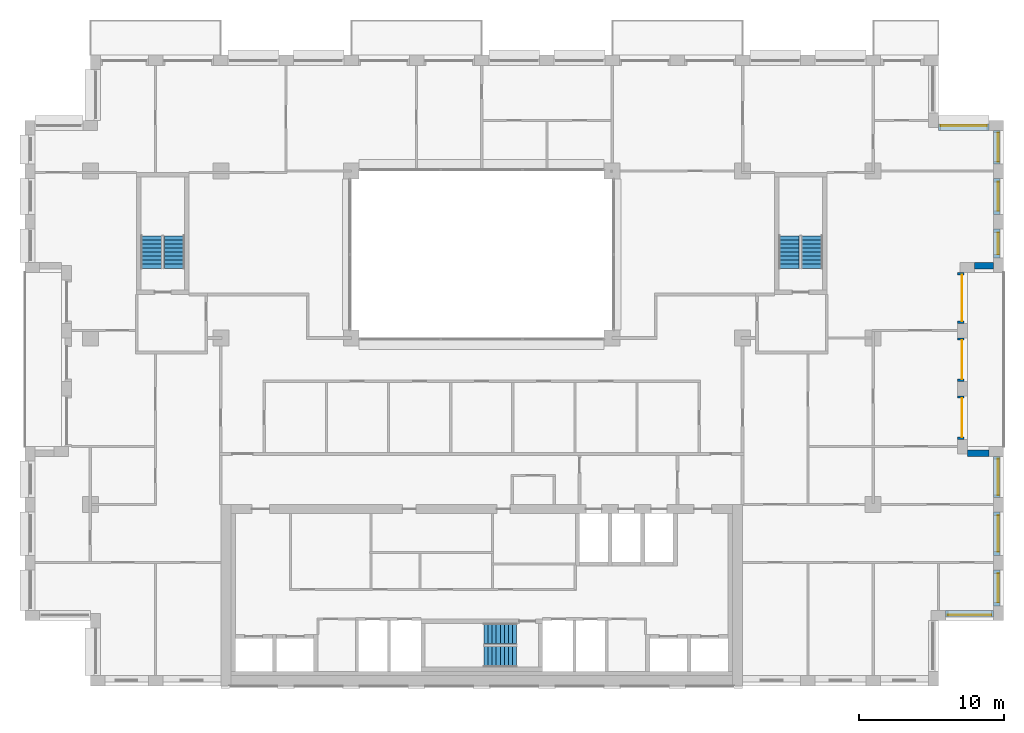
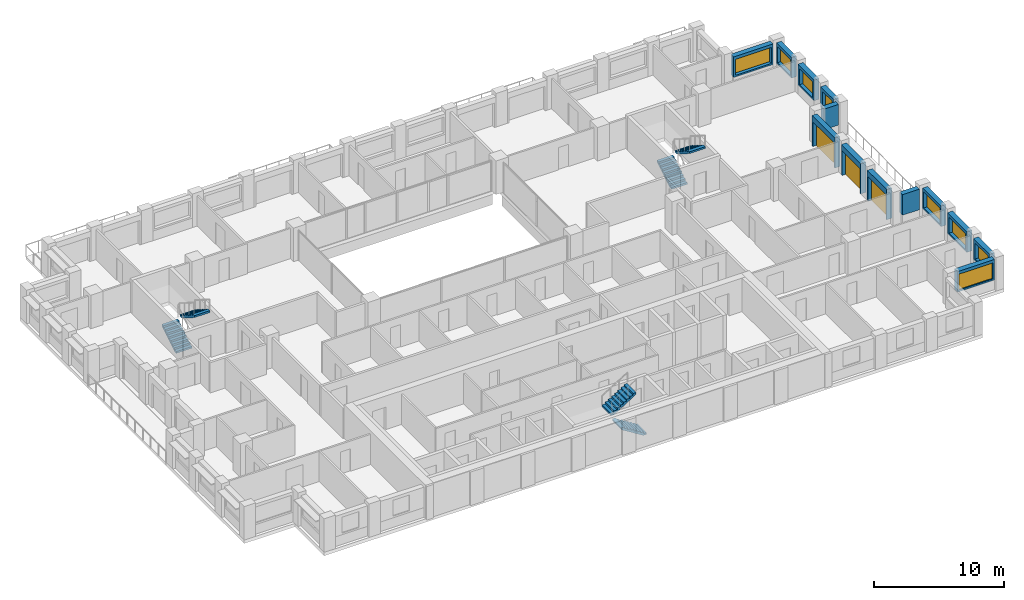
# One storey, part 14 of 15: 13 walls, 8 windows, 6 stair flights, 3 doors, 11 openings, 3 elements without a shape of their own.
"""IFC4 building model written with IfcOpenShell, lengths in metres."""

from ifc_helpers import new_model, si_unit, direction, frame, frame_2d, origin, place, context, subcontext, project, spatial, polyline, rectangle, outline, extrude, material, layer, layer_set, type_object, element, fill, aggregate, save


model = new_model("IFC4")

# Units and contexts
model_context = context("Model", 3, precision=1e-05, world=origin(), true_north=direction((0.0, 1.0)))
body_context = subcontext(model_context, "Body", "Model", "MODEL_VIEW")
ifc_project = project(units=[si_unit("LENGTHUNIT", "METRE"), si_unit("AREAUNIT", "SQUARE_METRE"), si_unit("VOLUMEUNIT", "CUBIC_METRE"), si_unit("PLANEANGLEUNIT", "RADIAN"), si_unit("MASSUNIT", "GRAM", prefix="KILO")], contexts=[model_context])

# Site, building, storey
site_placement = place(None, origin())
site = spatial("IfcSite", under=ifc_project, at=site_placement, CompositionType="ELEMENT")
building_placement = place(site_placement, origin())
building = spatial("IfcBuilding", under=site, at=building_placement, Name="Brigalow Station Residences", CompositionType="ELEMENT")
storey_placement = place(building_placement, frame((0.0, 0.0, 175.949951171875)))
storey = spatial("IfcBuildingStorey", under=building, at=storey_placement, Name="L51", CompositionType="ELEMENT", Elevation=175.949951171875)

# Wall, opening, window
ifc_material_1 = material(Name="Clay brick masonry", Category="masonry")
ifc_layer = layer(ifc_material_1, 0.449951171875)
ifc_layer_set = layer_set([ifc_layer], Name="BRICK INFILL WALL 450")
wall_type = type_object("IfcWallType", Name="BRICK INFILL WALL 450", PredefinedType="SOLIDWALL", material=ifc_layer_set)
wall_1_placement = place(storey_placement, frame((68.0, 4.97509765625, 0.900146484375), z_axis=(0.0, 0.0, 1.0), x_axis=(1.0, 0.0, 0.0)))
wall_1 = element("IfcWall", 1, at=wall_1_placement, inside=storey, type_object=wall_type, Name="L51/ewall/W-L51-8", PredefinedType="SOLIDWALL", context=body_context, shape_type="SweptSolid", body=[
    extrude(rectangle(XDim=3.300048828125, YDim=0.449951171875, at=frame_2d((1.64990234375, 0.0))), origin(), (0.0, 0.0, 1.0), 1.929931640625),
])
opening_1_placement = place(wall_1_placement, frame((0.14990234375, 0.0, 0.14990234375)))
opening_1 = element("IfcOpeningElement", 2, at=opening_1_placement, cuts=wall_1, Name="Opening WT-2", PredefinedType="OPENING", context=body_context, shape_type="SweptSolid", body=[
    extrude(rectangle(XDim=3.0, YDim=1.5, at=frame_2d((1.5, 0.75))), frame((0.0, 0.23486328125, 0.0), z_axis=(0.0, -1.0, 0.0), x_axis=(1.0, 0.0, 0.0)), (0.0, 0.0, 1.0), 0.469970703125),
])
ifc_material_2 = material(Name="Anodised aluminium frame with double glazing", Category="aluminium")
window_type_1 = type_object("IfcWindowType", Name="WINDOW 3000x1500", PartitioningType="SINGLE_PANEL", PredefinedType="WINDOW", material=ifc_material_2)
window_1_placement = place(opening_1_placement, origin())
window_1 = element("IfcWindow", 3, at=window_1_placement, inside=storey, type_object=window_type_1, Name="L51/window/W-L51-8", OverallHeight=1.5, OverallWidth=3.0, PartitioningType="SINGLE_PANEL", PredefinedType="WINDOW", context=body_context, shape_type="SweptSolid", body=[
    extrude(rectangle(XDim=3.0, YDim=1.5, at=frame_2d((1.5, 0.75))), frame((0.0, -0.06494140625, 0.0), z_axis=(0.0, -1.0, 0.0), x_axis=(1.0, 0.0, 0.0)), (0.0, 0.0, 1.0), 0.06005859375),
])
fill(opening_1, window_1)

wall_2_placement = place(storey_placement, frame((71.52490234375, 5.5, 0.900146484375), z_axis=(0.0, 0.0, 1.0), x_axis=(0.0, 1.0, 0.0)))
wall_2 = element("IfcWall", 4, at=wall_2_placement, inside=storey, type_object=wall_type, Name="L51/ewall/W-L51-9", PredefinedType="SOLIDWALL", context=body_context, shape_type="SweptSolid", body=[
    extrude(rectangle(XDim=2.5, YDim=0.449951171875, at=frame_2d((1.25, 0.0))), origin(), (0.0, 0.0, 1.0), 1.929931640625),
])
opening_2_placement = place(wall_2_placement, frame((0.25, 0.0, 0.14990234375)))
opening_2 = element("IfcOpeningElement", 5, at=opening_2_placement, cuts=wall_2, Name="Opening WT-7", PredefinedType="OPENING", context=body_context, shape_type="SweptSolid", body=[
    extrude(rectangle(XDim=2.0, YDim=1.5, at=frame_2d((1.0, 0.75))), frame((0.0, 0.23486328125, 0.0), z_axis=(0.0, -1.0, 0.0), x_axis=(1.0, 0.0, 0.0)), (0.0, 0.0, 1.0), 0.469970703125),
])
ifc_material_3 = material(Name="Anodised aluminium frame with double glazing", Category="aluminium")
window_type_2 = type_object("IfcWindowType", Name="WINDOW 2000x1500", PartitioningType="SINGLE_PANEL", PredefinedType="WINDOW", material=ifc_material_3)
window_2_placement = place(opening_2_placement, origin())
window_2 = element("IfcWindow", 6, at=window_2_placement, inside=storey, type_object=window_type_2, Name="L51/window/W-L51-9", OverallHeight=1.5, OverallWidth=2.0, PartitioningType="SINGLE_PANEL", PredefinedType="WINDOW", context=body_context, shape_type="SweptSolid", body=[
    extrude(rectangle(XDim=2.0, YDim=1.5, at=frame_2d((1.0, 0.75))), frame((0.0, -0.06494140625, 0.0), z_axis=(0.0, -1.0, 0.0), x_axis=(1.0, 0.0, 0.0)), (0.0, 0.0, 1.0), 0.06005859375),
])
fill(opening_2, window_2)

wall_3_placement = place(storey_placement, frame((71.52490234375, 9.0, 0.900146484375), z_axis=(0.0, 0.0, 1.0), x_axis=(0.0, 1.0, 0.0)))
wall_3 = element("IfcWall", 7, at=wall_3_placement, inside=storey, type_object=wall_type, Name="L51/ewall/W-L51-10", PredefinedType="SOLIDWALL", context=body_context, shape_type="SweptSolid", body=[
    extrude(rectangle(XDim=3.0, YDim=0.449951171875, at=frame_2d((1.5, 0.0))), origin(), (0.0, 0.0, 1.0), 1.929931640625),
])
opening_3_placement = place(wall_3_placement, frame((0.25, 0.0, 0.14990234375)))
opening_3 = element("IfcOpeningElement", 8, at=opening_3_placement, cuts=wall_3, Name="Opening WT-5", PredefinedType="OPENING", context=body_context, shape_type="SweptSolid", body=[
    extrude(rectangle(XDim=2.5, YDim=1.5, at=frame_2d((1.25, 0.75))), frame((0.0, 0.23486328125, 0.0), z_axis=(0.0, -1.0, 0.0), x_axis=(1.0, 0.0, 0.0)), (0.0, 0.0, 1.0), 0.469970703125),
])
ifc_material_4 = material(Name="Anodised aluminium frame with double glazing", Category="aluminium")
window_type_3 = type_object("IfcWindowType", Name="WINDOW 2500x1500", PartitioningType="SINGLE_PANEL", PredefinedType="WINDOW", material=ifc_material_4)
window_3_placement = place(opening_3_placement, origin())
window_3 = element("IfcWindow", 9, at=window_3_placement, inside=storey, type_object=window_type_3, Name="L51/window/W-L51-10", OverallHeight=1.5, OverallWidth=2.5, PartitioningType="SINGLE_PANEL", PredefinedType="WINDOW", context=body_context, shape_type="SweptSolid", body=[
    extrude(rectangle(XDim=2.5, YDim=1.5, at=frame_2d((1.25, 0.75))), frame((0.0, -0.06494140625, 0.0), z_axis=(0.0, -1.0, 0.0), x_axis=(1.0, 0.0, 0.0)), (0.0, 0.0, 1.0), 0.06005859375),
])
fill(opening_3, window_3)

wall_4_placement = place(storey_placement, frame((71.52490234375, 13.0, 0.900146484375), z_axis=(0.0, 0.0, 1.0), x_axis=(0.0, 1.0, 0.0)))
wall_4 = element("IfcWall", 10, at=wall_4_placement, inside=storey, type_object=wall_type, Name="L51/ewall/W-L51-11", PredefinedType="SOLIDWALL", context=body_context, shape_type="SweptSolid", body=[
    extrude(rectangle(XDim=2.800048828125, YDim=0.449951171875, at=frame_2d((1.39990234375, 0.0))), origin(), (0.0, 0.0, 1.0), 1.929931640625),
])
opening_4_placement = place(wall_4_placement, frame((0.14990234375, 0.0, 0.14990234375)))
opening_4 = element("IfcOpeningElement", 11, at=opening_4_placement, cuts=wall_4, Name="Opening WT-5", PredefinedType="OPENING", context=body_context, shape_type="SweptSolid", body=[
    extrude(rectangle(XDim=2.5, YDim=1.5, at=frame_2d((1.25, 0.75))), frame((0.0, 0.23486328125, 0.0), z_axis=(0.0, -1.0, 0.0), x_axis=(1.0, 0.0, 0.0)), (0.0, 0.0, 1.0), 0.469970703125),
])
window_4_placement = place(opening_4_placement, origin())
window_4 = element("IfcWindow", 12, at=window_4_placement, inside=storey, type_object=window_type_3, Name="L51/window/W-L51-11", OverallHeight=1.5, OverallWidth=2.5, PartitioningType="SINGLE_PANEL", PredefinedType="WINDOW", context=body_context, shape_type="SweptSolid", body=[
    extrude(rectangle(XDim=2.5, YDim=1.5, at=frame_2d((1.25, 0.75))), frame((0.0, -0.06494140625, 0.0), z_axis=(0.0, -1.0, 0.0), x_axis=(1.0, 0.0, 0.0)), (0.0, 0.0, 1.0), 0.06005859375),
])
fill(opening_4, window_4)

# Wall
wall_5_placement = place(storey_placement, frame((71.0, 16.02490234375, 0.900146484375), z_axis=(0.0, 0.0, 1.0), x_axis=(-1.0, 0.0, 0.0)))
element("IfcWall", 13, at=wall_5_placement, inside=storey, type_object=wall_type, Name="L51/ewall/W-L51-12", PredefinedType="SOLIDWALL", context=body_context, shape_type="SweptSolid", body=[
    extrude(rectangle(XDim=1.5, YDim=0.449951171875, at=frame_2d((0.75, 0.0))), origin(), (0.0, 0.0, 1.0), 1.929931640625),
])

# Wall, opening, door
wall_6_placement = place(storey_placement, frame((69.02490234375, 17.0, 0.0), z_axis=(0.0, 0.0, 1.0), x_axis=(0.0, 1.0, 0.0)))
wall_6 = element("IfcWall", 14, at=wall_6_placement, inside=storey, type_object=wall_type, Name="L51/ewall/W-L51-13", PredefinedType="SOLIDWALL", context=body_context, shape_type="SweptSolid", body=[
    extrude(rectangle(XDim=3.0, YDim=0.449951171875, at=frame_2d((1.5, 0.0))), origin(), (0.0, 0.0, 1.0), 2.830078125),
])
opening_5_placement = place(wall_6_placement, frame((0.14990234375, 0.0, 0.0)))
opening_5 = element("IfcOpeningElement", 15, at=opening_5_placement, cuts=wall_6, Name="Opening D-B2700", PredefinedType="OPENING", context=body_context, shape_type="SweptSolid", body=[
    extrude(rectangle(XDim=2.699951171875, YDim=2.300048828125, at=frame_2d((1.35009765625, 1.14990234375))), frame((0.0, 0.23486328125, 0.0), z_axis=(0.0, -1.0, 0.0), x_axis=(1.0, 0.0, 0.0)), (0.0, 0.0, 1.0), 0.469970703125),
])
ifc_material_5 = material(Name="Anodised aluminium frame with double glazing", Category="aluminium")
door_type_1 = type_object("IfcDoorType", Name="BALCONY SLIDING DOOR 2700x2300", OperationType="SLIDING_TO_LEFT", PredefinedType="DOOR", material=ifc_material_5)
door_1_placement = place(opening_5_placement, origin())
door_1 = element("IfcDoor", 16, at=door_1_placement, inside=storey, type_object=door_type_1, Name="L51/balcony-door/W-L51-13", OperationType="SLIDING_TO_LEFT", OverallHeight=2.300048828125, OverallWidth=2.699951171875, PredefinedType="DOOR", context=body_context, shape_type="SweptSolid", body=[
    extrude(rectangle(XDim=2.699951171875, YDim=2.300048828125, at=frame_2d((1.35009765625, 1.14990234375))), frame((0.0, -0.06982421875, 0.0), z_axis=(0.0, -1.0, 0.0), x_axis=(1.0, 0.0, 0.0)), (0.0, 0.0, 1.0), 0.050048828125),
])
fill(opening_5, door_1)

wall_7_placement = place(storey_placement, frame((69.02490234375, 21.0, 0.0), z_axis=(0.0, 0.0, 1.0), x_axis=(0.0, 1.0, 0.0)))
wall_7 = element("IfcWall", 17, at=wall_7_placement, inside=storey, type_object=wall_type, Name="L51/ewall/W-L51-14", PredefinedType="SOLIDWALL", context=body_context, shape_type="SweptSolid", body=[
    extrude(rectangle(XDim=3.0, YDim=0.449951171875, at=frame_2d((1.5, 0.0))), origin(), (0.0, 0.0, 1.0), 2.830078125),
])
opening_6_placement = place(wall_7_placement, frame((0.14990234375, 0.0, 0.0)))
opening_6 = element("IfcOpeningElement", 18, at=opening_6_placement, cuts=wall_7, Name="Opening D-B2700", PredefinedType="OPENING", context=body_context, shape_type="SweptSolid", body=[
    extrude(rectangle(XDim=2.699951171875, YDim=2.300048828125, at=frame_2d((1.35009765625, 1.14990234375))), frame((0.0, 0.23486328125, 0.0), z_axis=(0.0, -1.0, 0.0), x_axis=(1.0, 0.0, 0.0)), (0.0, 0.0, 1.0), 0.469970703125),
])
door_2_placement = place(opening_6_placement, origin())
door_2 = element("IfcDoor", 19, at=door_2_placement, inside=storey, type_object=door_type_1, Name="L51/balcony-door/W-L51-14", OperationType="SLIDING_TO_LEFT", OverallHeight=2.300048828125, OverallWidth=2.699951171875, PredefinedType="DOOR", context=body_context, shape_type="SweptSolid", body=[
    extrude(rectangle(XDim=2.699951171875, YDim=2.300048828125, at=frame_2d((1.35009765625, 1.14990234375))), frame((0.0, -0.06982421875, 0.0), z_axis=(0.0, -1.0, 0.0), x_axis=(1.0, 0.0, 0.0)), (0.0, 0.0, 1.0), 0.050048828125),
])
fill(opening_6, door_2)

wall_8_placement = place(storey_placement, frame((69.02490234375, 25.0, 0.0), z_axis=(0.0, 0.0, 1.0), x_axis=(0.0, 1.0, 0.0)))
wall_8 = element("IfcWall", 20, at=wall_8_placement, inside=storey, type_object=wall_type, Name="L51/ewall/W-L51-15", PredefinedType="SOLIDWALL", context=body_context, shape_type="SweptSolid", body=[
    extrude(rectangle(XDim=3.5, YDim=0.449951171875, at=frame_2d((1.75, 0.0))), origin(), (0.0, 0.0, 1.0), 2.830078125),
])
opening_7_placement = place(wall_8_placement, frame((0.14990234375, 0.0, 0.0)))
opening_7 = element("IfcOpeningElement", 21, at=opening_7_placement, cuts=wall_8, Name="Opening D-B3200", PredefinedType="OPENING", context=body_context, shape_type="SweptSolid", body=[
    extrude(rectangle(XDim=3.199951171875, YDim=2.300048828125, at=frame_2d((1.60009765625, 1.14990234375))), frame((0.0, 0.23486328125, 0.0), z_axis=(0.0, -1.0, 0.0), x_axis=(1.0, 0.0, 0.0)), (0.0, 0.0, 1.0), 0.469970703125),
])
ifc_material_6 = material(Name="Anodised aluminium frame with double glazing", Category="aluminium")
door_type_2 = type_object("IfcDoorType", Name="BALCONY SLIDING DOOR 3200x2300", OperationType="SLIDING_TO_LEFT", PredefinedType="DOOR", material=ifc_material_6)
door_3_placement = place(opening_7_placement, origin())
door_3 = element("IfcDoor", 22, at=door_3_placement, inside=storey, type_object=door_type_2, Name="L51/balcony-door/W-L51-15", OperationType="SLIDING_TO_LEFT", OverallHeight=2.300048828125, OverallWidth=3.199951171875, PredefinedType="DOOR", context=body_context, shape_type="SweptSolid", body=[
    extrude(rectangle(XDim=3.199951171875, YDim=2.300048828125, at=frame_2d((1.60009765625, 1.14990234375))), frame((0.0, -0.06982421875, 0.0), z_axis=(0.0, -1.0, 0.0), x_axis=(1.0, 0.0, 0.0)), (0.0, 0.0, 1.0), 0.050048828125),
])
fill(opening_7, door_3)

# Wall
wall_9_placement = place(storey_placement, frame((70.0, 28.97509765625, 0.900146484375), z_axis=(0.0, 0.0, 1.0), x_axis=(1.0, 0.0, 0.0)))
element("IfcWall", 23, at=wall_9_placement, inside=storey, type_object=wall_type, Name="L51/ewall/W-L51-16", PredefinedType="SOLIDWALL", context=body_context, shape_type="SweptSolid", body=[
    extrude(rectangle(XDim=1.300048828125, YDim=0.449951171875, at=frame_2d((0.64990234375, 0.0))), origin(), (0.0, 0.0, 1.0), 1.929931640625),
])

# Wall, opening, window
wall_10_placement = place(storey_placement, frame((71.52490234375, 29.5, 0.900146484375), z_axis=(0.0, 0.0, 1.0), x_axis=(0.0, 1.0, 0.0)))
wall_10 = element("IfcWall", 24, at=wall_10_placement, inside=storey, type_object=wall_type, Name="L51/ewall/W-L51-17", PredefinedType="SOLIDWALL", context=body_context, shape_type="SweptSolid", body=[
    extrude(rectangle(XDim=2.0, YDim=0.449951171875, at=frame_2d((1.0, 0.0))), origin(), (0.0, 0.0, 1.0), 1.929931640625),
])
opening_8_placement = place(wall_10_placement, frame((0.25, 0.0, 0.14990234375)))
opening_8 = element("IfcOpeningElement", 25, at=opening_8_placement, cuts=wall_10, Name="Opening WT-1", PredefinedType="OPENING", context=body_context, shape_type="SweptSolid", body=[
    extrude(rectangle(XDim=1.5, YDim=1.5, at=frame_2d((0.75, 0.75))), frame((0.0, 0.23486328125, 0.0), z_axis=(0.0, -1.0, 0.0), x_axis=(1.0, 0.0, 0.0)), (0.0, 0.0, 1.0), 0.469970703125),
])
ifc_material_7 = material(Name="Anodised aluminium frame with double glazing", Category="aluminium")
window_type_4 = type_object("IfcWindowType", Name="WINDOW 1500x1500", PartitioningType="SINGLE_PANEL", PredefinedType="WINDOW", material=ifc_material_7)
window_5_placement = place(opening_8_placement, origin())
window_5 = element("IfcWindow", 26, at=window_5_placement, inside=storey, type_object=window_type_4, Name="L51/window/W-L51-17", OverallHeight=1.5, OverallWidth=1.5, PartitioningType="SINGLE_PANEL", PredefinedType="WINDOW", context=body_context, shape_type="SweptSolid", body=[
    extrude(rectangle(XDim=1.5, YDim=1.5, at=frame_2d((0.75, 0.75))), frame((0.0, -0.06494140625, 0.0), z_axis=(0.0, -1.0, 0.0), x_axis=(1.0, 0.0, 0.0)), (0.0, 0.0, 1.0), 0.06005859375),
])
fill(opening_8, window_5)

wall_11_placement = place(storey_placement, frame((71.52490234375, 32.5, 0.900146484375), z_axis=(0.0, 0.0, 1.0), x_axis=(0.0, 1.0, 0.0)))
wall_11 = element("IfcWall", 27, at=wall_11_placement, inside=storey, type_object=wall_type, Name="L51/ewall/W-L51-18", PredefinedType="SOLIDWALL", context=body_context, shape_type="SweptSolid", body=[
    extrude(rectangle(XDim=2.5, YDim=0.449951171875, at=frame_2d((1.25, 0.0))), origin(), (0.0, 0.0, 1.0), 1.929931640625),
])
opening_9_placement = place(wall_11_placement, frame((0.25, 0.0, 0.14990234375)))
opening_9 = element("IfcOpeningElement", 28, at=opening_9_placement, cuts=wall_11, Name="Opening WT-7", PredefinedType="OPENING", context=body_context, shape_type="SweptSolid", body=[
    extrude(rectangle(XDim=2.0, YDim=1.5, at=frame_2d((1.0, 0.75))), frame((0.0, 0.23486328125, 0.0), z_axis=(0.0, -1.0, 0.0), x_axis=(1.0, 0.0, 0.0)), (0.0, 0.0, 1.0), 0.469970703125),
])
window_6_placement = place(opening_9_placement, origin())
window_6 = element("IfcWindow", 29, at=window_6_placement, inside=storey, type_object=window_type_2, Name="L51/window/W-L51-18", OverallHeight=1.5, OverallWidth=2.0, PartitioningType="SINGLE_PANEL", PredefinedType="WINDOW", context=body_context, shape_type="SweptSolid", body=[
    extrude(rectangle(XDim=2.0, YDim=1.5, at=frame_2d((1.0, 0.75))), frame((0.0, -0.06494140625, 0.0), z_axis=(0.0, -1.0, 0.0), x_axis=(1.0, 0.0, 0.0)), (0.0, 0.0, 1.0), 0.06005859375),
])
fill(opening_9, window_6)

wall_12_placement = place(storey_placement, frame((71.52490234375, 36.0, 0.900146484375), z_axis=(0.0, 0.0, 1.0), x_axis=(0.0, 1.0, 0.0)))
wall_12 = element("IfcWall", 30, at=wall_12_placement, inside=storey, type_object=wall_type, Name="L51/ewall/W-L51-19", PredefinedType="SOLIDWALL", context=body_context, shape_type="SweptSolid", body=[
    extrude(rectangle(XDim=2.300048828125, YDim=0.449951171875, at=frame_2d((1.14990234375, 0.0))), origin(), (0.0, 0.0, 1.0), 1.929931640625),
])
opening_10_placement = place(wall_12_placement, frame((0.14990234375, 0.0, 0.14990234375)))
opening_10 = element("IfcOpeningElement", 31, at=opening_10_placement, cuts=wall_12, Name="Opening WT-7", PredefinedType="OPENING", context=body_context, shape_type="SweptSolid", body=[
    extrude(rectangle(XDim=2.0, YDim=1.5, at=frame_2d((1.0, 0.75))), frame((0.0, 0.23486328125, 0.0), z_axis=(0.0, -1.0, 0.0), x_axis=(1.0, 0.0, 0.0)), (0.0, 0.0, 1.0), 0.469970703125),
])
window_7_placement = place(opening_10_placement, origin())
window_7 = element("IfcWindow", 32, at=window_7_placement, inside=storey, type_object=window_type_2, Name="L51/window/W-L51-19", OverallHeight=1.5, OverallWidth=2.0, PartitioningType="SINGLE_PANEL", PredefinedType="WINDOW", context=body_context, shape_type="SweptSolid", body=[
    extrude(rectangle(XDim=2.0, YDim=1.5, at=frame_2d((1.0, 0.75))), frame((0.0, -0.06494140625, 0.0), z_axis=(0.0, -1.0, 0.0), x_axis=(1.0, 0.0, 0.0)), (0.0, 0.0, 1.0), 0.06005859375),
])
fill(opening_10, window_7)

wall_13_placement = place(storey_placement, frame((71.0, 38.52490234375, 0.900146484375), z_axis=(0.0, 0.0, 1.0), x_axis=(-1.0, 0.0, 0.0)))
wall_13 = element("IfcWall", 33, at=wall_13_placement, inside=storey, type_object=wall_type, Name="L51/ewall/W-L51-20", PredefinedType="SOLIDWALL", context=body_context, shape_type="SweptSolid", body=[
    extrude(rectangle(XDim=3.5, YDim=0.449951171875, at=frame_2d((1.75, 0.0))), origin(), (0.0, 0.0, 1.0), 1.929931640625),
])
opening_11_placement = place(wall_13_placement, frame((0.14990234375, 0.0, 0.14990234375)))
opening_11 = element("IfcOpeningElement", 34, at=opening_11_placement, cuts=wall_13, Name="Opening WT-9", PredefinedType="OPENING", context=body_context, shape_type="SweptSolid", body=[
    extrude(rectangle(XDim=3.199951171875, YDim=1.5, at=frame_2d((1.60009765625, 0.75))), frame((0.0, 0.23486328125, 0.0), z_axis=(0.0, -1.0, 0.0), x_axis=(1.0, 0.0, 0.0)), (0.0, 0.0, 1.0), 0.469970703125),
])
ifc_material_8 = material(Name="Anodised aluminium frame with double glazing", Category="aluminium")
window_type_5 = type_object("IfcWindowType", Name="WINDOW 3200x1500", PartitioningType="SINGLE_PANEL", PredefinedType="WINDOW", material=ifc_material_8)
window_8_placement = place(opening_11_placement, origin())
window_8 = element("IfcWindow", 35, at=window_8_placement, inside=storey, type_object=window_type_5, Name="L51/window/W-L51-20", OverallHeight=1.5, OverallWidth=3.199951171875, PartitioningType="SINGLE_PANEL", PredefinedType="WINDOW", context=body_context, shape_type="SweptSolid", body=[
    extrude(rectangle(XDim=3.199951171875, YDim=1.5, at=frame_2d((1.60009765625, 0.75))), frame((0.0, -0.06494140625, 0.0), z_axis=(0.0, -1.0, 0.0), x_axis=(1.0, 0.0, 0.0)), (0.0, 0.0, 1.0), 0.06005859375),
])
fill(opening_11, window_8)

# Stair, stair flights
ifc_material_9 = material(Name="Concrete C50", Category="concrete")
stair_type = type_object("IfcStairType", Name="EXIT STAIR 1400 2 FLIGHT", PredefinedType="HALF_TURN_STAIR", material=ifc_material_9)
stair_1_placement = place(storey_placement, origin())
stair_1 = element("IfcStair", 36, at=stair_1_placement, inside=storey, type_object=stair_type, Name="EXIT STAIR S2 L51", PredefinedType="HALF_TURN_STAIR")
ifc_material_10 = material(Name="Concrete C50", Category="concrete")
stair_flight_type = type_object("IfcStairFlightType", Name="STAIR FLIGHT 1400", PredefinedType="STRAIGHT", material=ifc_material_10)
stair_flight_1_placement = place(storey_placement, frame((38.39990234375, 2.0, 0.0), z_axis=(0.0, 0.0, 1.0), x_axis=(-1.0, 0.0, 0.0)))
stair_flight_1 = element("IfcStairFlight", 37, at=stair_flight_1_placement, type_object=stair_flight_type, Name="ST-2 flight 1", NumberOfRisers=9, NumberOfTreads=8, PredefinedType="STRAIGHT", RiserHeight=0.175, TreadLength=0.28, context=body_context, shape_type="SweptSolid", body=[
    extrude(outline(polyline([(0.0, 0.0), (0.0, 0.175048828125), (0.280029296875, 0.175048828125), (0.280029296875, 0.35009765625), (0.56005859375, 0.35009765625), (0.56005859375, 0.52490234375), (0.840087890625, 0.52490234375), (0.840087890625, 0.699951171875), (1.1201171875, 0.699951171875), (1.1201171875, 0.875), (1.39990234375, 0.875), (1.39990234375, 1.050048828125), (1.679931640625, 1.050048828125), (1.679931640625, 1.22509765625), (1.9599609375, 1.22509765625), (1.9599609375, 1.39990234375), (2.239990234375, 1.39990234375), (2.239990234375, 1.574951171875), (2.239990234375, 1.22314453125), (0.28271484375, 0.0), (0.0, 0.0)])), frame((0.0, 0.699951171875, 0.0), z_axis=(0.0, -1.0, 0.0), x_axis=(1.0, 0.0, 0.0)), (0.0, 0.0, 1.0), 1.39990234375),
])
stair_flight_2_placement = place(storey_placement, frame((36.159912109375, 3.60009765625, 1.574951171875), z_axis=(0.0, 0.0, 1.0), x_axis=(1.0, 0.0, 0.0)))
stair_flight_2 = element("IfcStairFlight", 38, at=stair_flight_2_placement, type_object=stair_flight_type, Name="ST-2 flight 2", NumberOfRisers=9, NumberOfTreads=8, PredefinedType="STRAIGHT", RiserHeight=0.175, TreadLength=0.28, context=body_context, shape_type="SweptSolid", body=[
    extrude(outline(polyline([(0.0, 0.0), (0.0, 0.175048828125), (0.280029296875, 0.175048828125), (0.280029296875, 0.35009765625), (0.56005859375, 0.35009765625), (0.56005859375, 0.52490234375), (0.840087890625, 0.52490234375), (0.840087890625, 0.699951171875), (1.1201171875, 0.699951171875), (1.1201171875, 0.875), (1.39990234375, 0.875), (1.39990234375, 1.050048828125), (1.679931640625, 1.050048828125), (1.679931640625, 1.22509765625), (1.9599609375, 1.22509765625), (1.9599609375, 1.39990234375), (2.239990234375, 1.39990234375), (2.239990234375, 1.574951171875), (2.239990234375, 1.22314453125), (0.28271484375, 0.0), (0.0, 0.0)])), frame((0.0, 0.699951171875, 0.0), z_axis=(0.0, -1.0, 0.0), x_axis=(1.0, 0.0, 0.0)), (0.0, 0.0, 1.0), 1.39990234375),
])
aggregate(stair_1, [stair_flight_1, stair_flight_2])

stair_2_placement = place(storey_placement, origin())
stair_2 = element("IfcStair", 39, at=stair_2_placement, inside=storey, type_object=stair_type, Name="EXIT STAIR S1 L51", PredefinedType="HALF_TURN_STAIR")
stair_flight_3_placement = place(storey_placement, frame((13.199951171875, 28.800048828125, 0.0), z_axis=(0.0, 0.0, 1.0), x_axis=(0.0, 1.0, 0.0)))
stair_flight_3 = element("IfcStairFlight", 40, at=stair_flight_3_placement, type_object=stair_flight_type, Name="ST-1 flight 1", NumberOfRisers=9, NumberOfTreads=8, PredefinedType="STRAIGHT", RiserHeight=0.175, TreadLength=0.28, context=body_context, shape_type="SweptSolid", body=[
    extrude(outline(polyline([(0.0, 0.0), (0.0, 0.175048828125), (0.280029296875, 0.175048828125), (0.280029296875, 0.35009765625), (0.56005859375, 0.35009765625), (0.56005859375, 0.52490234375), (0.840087890625, 0.52490234375), (0.840087890625, 0.699951171875), (1.1201171875, 0.699951171875), (1.1201171875, 0.875), (1.39990234375, 0.875), (1.39990234375, 1.050048828125), (1.679931640625, 1.050048828125), (1.679931640625, 1.22509765625), (1.9599609375, 1.22509765625), (1.9599609375, 1.39990234375), (2.239990234375, 1.39990234375), (2.239990234375, 1.574951171875), (2.239990234375, 1.22314453125), (0.28271484375, 0.0), (0.0, 0.0)])), frame((0.0, 0.699951171875, 0.0), z_axis=(0.0, -1.0, 0.0), x_axis=(1.0, 0.0, 0.0)), (0.0, 0.0, 1.0), 1.39990234375),
])
stair_flight_4_placement = place(storey_placement, frame((14.800048828125, 31.0400390625, 1.574951171875), z_axis=(0.0, 0.0, 1.0), x_axis=(0.0, -1.0, 0.0)))
stair_flight_4 = element("IfcStairFlight", 41, at=stair_flight_4_placement, type_object=stair_flight_type, Name="ST-1 flight 2", NumberOfRisers=9, NumberOfTreads=8, PredefinedType="STRAIGHT", RiserHeight=0.175, TreadLength=0.28, context=body_context, shape_type="SweptSolid", body=[
    extrude(outline(polyline([(0.0, 0.0), (0.0, 0.175048828125), (0.280029296875, 0.175048828125), (0.280029296875, 0.35009765625), (0.56005859375, 0.35009765625), (0.56005859375, 0.52490234375), (0.840087890625, 0.52490234375), (0.840087890625, 0.699951171875), (1.1201171875, 0.699951171875), (1.1201171875, 0.875), (1.39990234375, 0.875), (1.39990234375, 1.050048828125), (1.679931640625, 1.050048828125), (1.679931640625, 1.22509765625), (1.9599609375, 1.22509765625), (1.9599609375, 1.39990234375), (2.239990234375, 1.39990234375), (2.239990234375, 1.574951171875), (2.239990234375, 1.22314453125), (0.28271484375, 0.0), (0.0, 0.0)])), frame((0.0, 0.699951171875, 0.0), z_axis=(0.0, -1.0, 0.0), x_axis=(1.0, 0.0, 0.0)), (0.0, 0.0, 1.0), 1.39990234375),
])
aggregate(stair_2, [stair_flight_3, stair_flight_4])

stair_3_placement = place(storey_placement, origin())
stair_3 = element("IfcStair", 42, at=stair_3_placement, inside=storey, type_object=stair_type, Name="EXIT STAIR S3 L51", PredefinedType="HALF_TURN_STAIR")
stair_flight_5_placement = place(storey_placement, frame((57.199951171875, 28.800048828125, 0.0), z_axis=(0.0, 0.0, 1.0), x_axis=(0.0, 1.0, 0.0)))
stair_flight_5 = element("IfcStairFlight", 43, at=stair_flight_5_placement, type_object=stair_flight_type, Name="ST-3 flight 1", NumberOfRisers=9, NumberOfTreads=8, PredefinedType="STRAIGHT", RiserHeight=0.175, TreadLength=0.28, context=body_context, shape_type="SweptSolid", body=[
    extrude(outline(polyline([(0.0, 0.0), (0.0, 0.175048828125), (0.280029296875, 0.175048828125), (0.280029296875, 0.35009765625), (0.56005859375, 0.35009765625), (0.56005859375, 0.52490234375), (0.840087890625, 0.52490234375), (0.840087890625, 0.699951171875), (1.1201171875, 0.699951171875), (1.1201171875, 0.875), (1.39990234375, 0.875), (1.39990234375, 1.050048828125), (1.679931640625, 1.050048828125), (1.679931640625, 1.22509765625), (1.9599609375, 1.22509765625), (1.9599609375, 1.39990234375), (2.239990234375, 1.39990234375), (2.239990234375, 1.574951171875), (2.239990234375, 1.22314453125), (0.28271484375, 0.0), (0.0, 0.0)])), frame((0.0, 0.699951171875, 0.0), z_axis=(0.0, -1.0, 0.0), x_axis=(1.0, 0.0, 0.0)), (0.0, 0.0, 1.0), 1.39990234375),
])
stair_flight_6_placement = place(storey_placement, frame((58.800048828125, 31.0400390625, 1.574951171875), z_axis=(0.0, 0.0, 1.0), x_axis=(0.0, -1.0, 0.0)))
stair_flight_6 = element("IfcStairFlight", 44, at=stair_flight_6_placement, type_object=stair_flight_type, Name="ST-3 flight 2", NumberOfRisers=9, NumberOfTreads=8, PredefinedType="STRAIGHT", RiserHeight=0.175, TreadLength=0.28, context=body_context, shape_type="SweptSolid", body=[
    extrude(outline(polyline([(0.0, 0.0), (0.0, 0.175048828125), (0.280029296875, 0.175048828125), (0.280029296875, 0.35009765625), (0.56005859375, 0.35009765625), (0.56005859375, 0.52490234375), (0.840087890625, 0.52490234375), (0.840087890625, 0.699951171875), (1.1201171875, 0.699951171875), (1.1201171875, 0.875), (1.39990234375, 0.875), (1.39990234375, 1.050048828125), (1.679931640625, 1.050048828125), (1.679931640625, 1.22509765625), (1.9599609375, 1.22509765625), (1.9599609375, 1.39990234375), (2.239990234375, 1.39990234375), (2.239990234375, 1.574951171875), (2.239990234375, 1.22314453125), (0.28271484375, 0.0), (0.0, 0.0)])), frame((0.0, 0.699951171875, 0.0), z_axis=(0.0, -1.0, 0.0), x_axis=(1.0, 0.0, 0.0)), (0.0, 0.0, 1.0), 1.39990234375),
])
aggregate(stair_3, [stair_flight_5, stair_flight_6])

save(model, "model.ifc")
